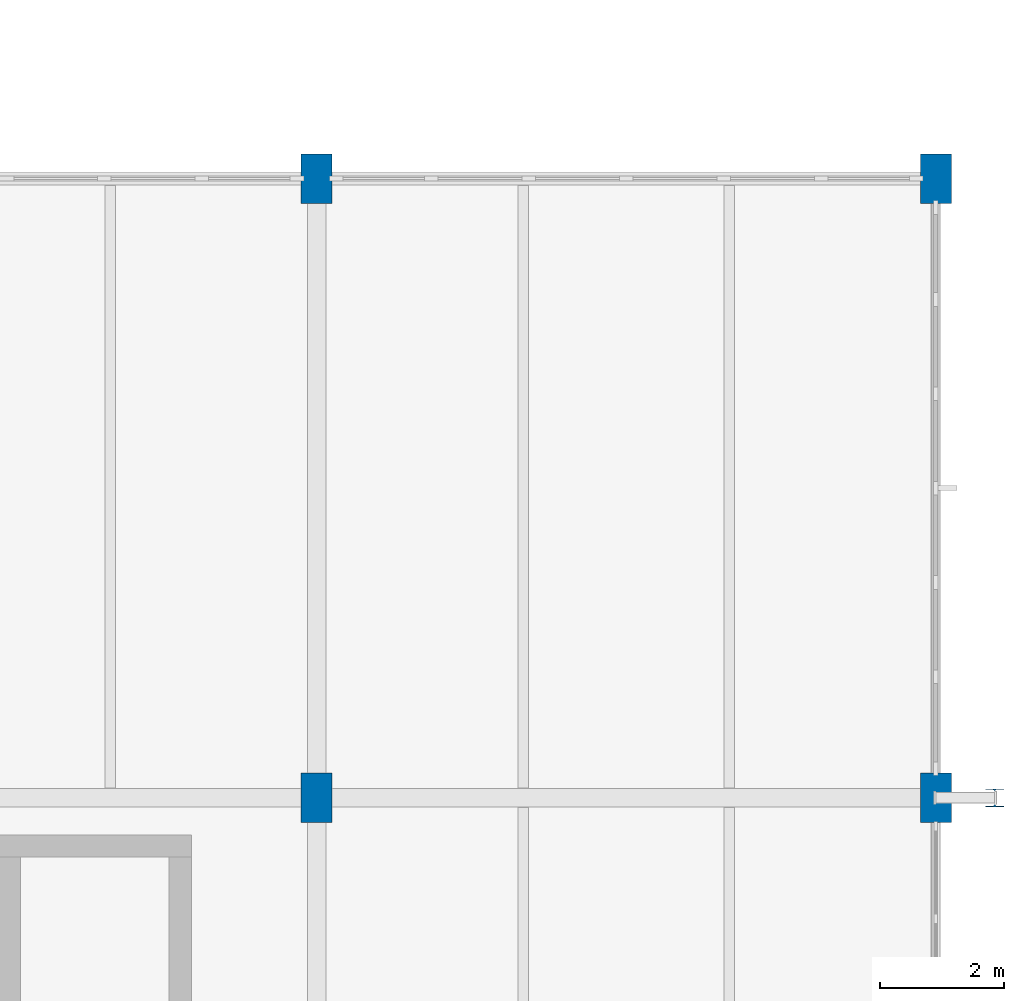
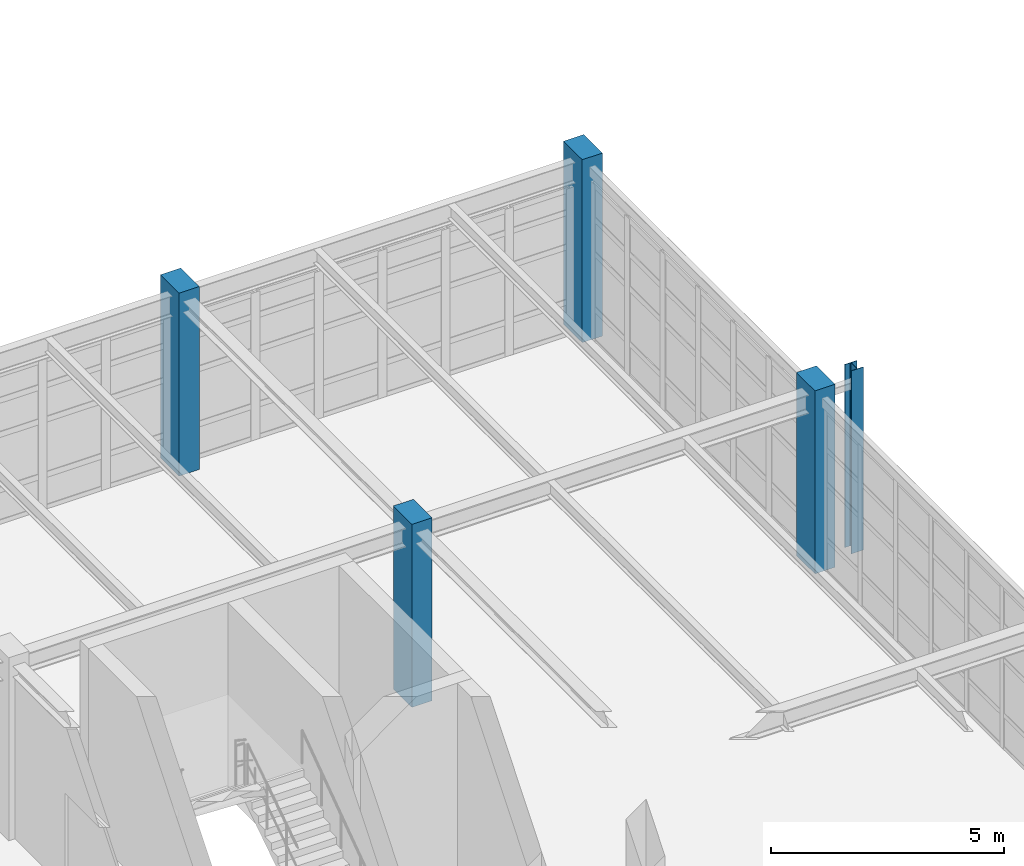
# One storey, part 22 of 139: 5 columns.
"""IFC4 building model written with IfcOpenShell, lengths in metres."""

from ifc_helpers import new_model, si_unit, direction, frame, origin, origin_2d, place, context, subcontext, project, spatial, rectangle, i_section, extrude, material, material_profile, profile_set, type_object, element, save


model = new_model("IFC4")

# Units and contexts
model_context = context("Model", 3, precision=1e-05, world=origin(), true_north=direction((0.0, 1.0)))
body_context = subcontext(model_context, "Body", "Model", "MODEL_VIEW")
ifc_project = project(units=[si_unit("LENGTHUNIT", "METRE"), si_unit("AREAUNIT", "SQUARE_METRE"), si_unit("VOLUMEUNIT", "CUBIC_METRE"), si_unit("PLANEANGLEUNIT", "RADIAN"), si_unit("MASSUNIT", "GRAM", prefix="KILO"), si_unit("THERMODYNAMICTEMPERATUREUNIT", "KELVIN"), si_unit("POWERUNIT", "WATT")], contexts=[model_context])

# Site, building, storey
site_placement = place(None, origin())
site = spatial("IfcSite", under=ifc_project, at=site_placement, CompositionType="ELEMENT")
building_placement = place(site_placement, origin())
building = spatial("IfcBuilding", under=site, at=building_placement, Name="Korenveer Ferry Terminal", CompositionType="ELEMENT")
storey_placement = place(building_placement, frame((0.0, 0.0, 5.39990234375)))
storey = spatial("IfcBuildingStorey", under=building, at=storey_placement, Name="L01", CompositionType="ELEMENT", Elevation=5.39990234375)

# Columns
ifc_material_1 = material(Name="Concrete C45/55", Category="concrete")
ifc_material_profile_1 = material_profile(ifc_material_1, rectangle(XDim=0.5, YDim=0.800048828125, at=origin_2d()), Name="RC 500x800")
ifc_profile_set_1 = profile_set([ifc_material_profile_1], Name="Concrete C45/55")
column_type_1 = type_object("IfcColumnType", Name="STR-COL-RC500X800", PredefinedType="COLUMN", material=ifc_profile_set_1)
for number, where, z_axis, x_axis, name in (
    (1, (166.0, 70.0, 0.0), (0.0, 0.0, 1.0), (1.0, 0.0, 0.0), "Column COL-L01-X166-Y70"),
    (2, (166.0, 80.0, 0.0), (0.0, 0.0, 1.0), (1.0, 0.0, 0.0), "Column COL-L01-X166-Y80"),
    (3, (176.0, 70.0, 0.0), (0.0, 0.0, 1.0), (1.0, 0.0, 0.0), "Column COL-L01-X176-Y70"),
    (4, (176.0, 80.0, 0.0), (0.0, 0.0, 1.0), (1.0, 0.0, 0.0), "Column COL-L01-X176-Y80"),
):
    element("IfcColumn", number, at=place(storey_placement, frame(where, z_axis=z_axis, x_axis=x_axis)), inside=storey, type_object=column_type_1, Name=name, PredefinedType="COLUMN", context=body_context, shape_type="SweptSolid", body=[
        extrude(rectangle(XDim=0.5, YDim=0.800048828125, at=origin_2d()), origin(), (0.0, 0.0, 1.0), 4.800048828125),
    ])
ifc_material_2 = material(Name="Steel S355", Category="steel")
ifc_material_profile_2 = material_profile(ifc_material_2, i_section(OverallWidth=0.300048828125, OverallDepth=0.2900390625, WebThickness=0.008544921875, FlangeThickness=0.013916015625, FilletRadius=0.027099609375, at=origin_2d()), Name="HEA 300")
ifc_profile_set_2 = profile_set([ifc_material_profile_2], Name="Steel S355")
column_type_2 = type_object("IfcColumnType", Name="STR-PIL-BRICK450", PredefinedType="PILASTER", material=ifc_profile_set_2)
column_placement = place(storey_placement, frame((176.949951171875, 70.0, 0.0), z_axis=(0.0, 0.0, 1.0), x_axis=(1.0, 0.0, 0.0)))
element("IfcColumn", 5, at=column_placement, inside=storey, type_object=column_type_2, Name="Buttress pilaster 35", PredefinedType="PILASTER", context=body_context, shape_type="SweptSolid", body=[
    extrude(i_section(OverallWidth=0.300048828125, OverallDepth=0.2900390625, WebThickness=0.008544921875, FlangeThickness=0.013916015625, FilletRadius=0.027099609375, at=origin_2d()), origin(), (0.0, 0.0, 1.0), 4.800048828125),
])

save(model, "model.ifc")
